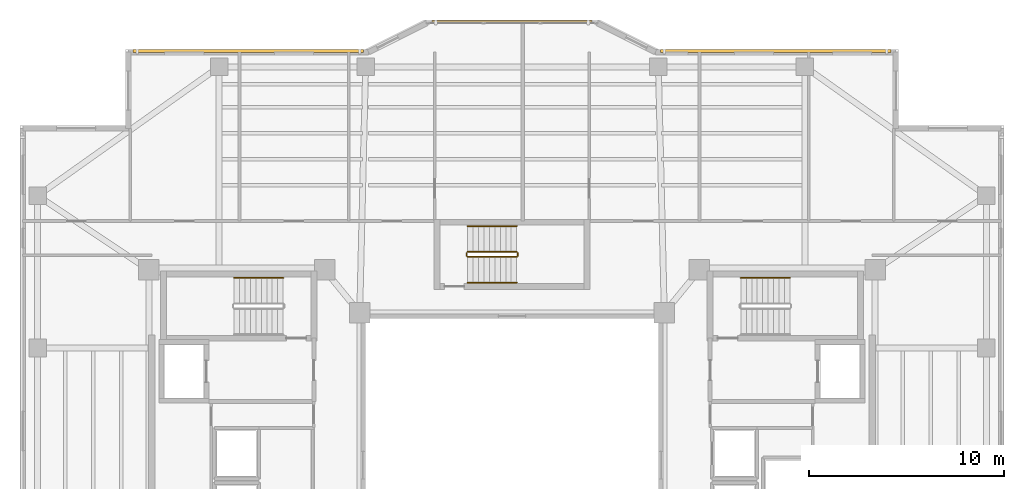
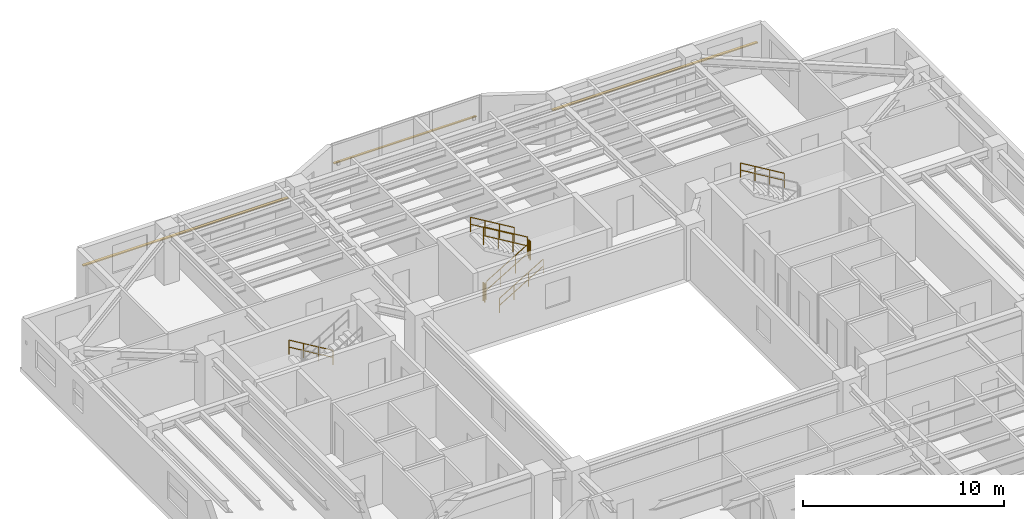
# One storey, part 15 of 15: 8 railings, 3 shading devices.
"""IFC4 building model written with IfcOpenShell, lengths in metres."""

from ifc_helpers import new_model, si_unit, direction, frame, origin, origin_2d, place, context, subcontext, project, spatial, rectangle, circle, extrude, material, material_profile, profile_set, type_object, element, save


model = new_model("IFC4")

# Units and contexts
model_context = context("Model", 3, precision=1e-05, world=origin(), true_north=direction((0.0, 1.0)))
body_context = subcontext(model_context, "Body", "Model", "MODEL_VIEW")
ifc_project = project(units=[si_unit("LENGTHUNIT", "METRE"), si_unit("AREAUNIT", "SQUARE_METRE"), si_unit("VOLUMEUNIT", "CUBIC_METRE"), si_unit("PLANEANGLEUNIT", "RADIAN"), si_unit("MASSUNIT", "GRAM", prefix="KILO")], contexts=[model_context])

# Site, building, storey
site_placement = place(None, origin())
site = spatial("IfcSite", under=ifc_project, at=site_placement, CompositionType="ELEMENT")
building_placement = place(site_placement, origin())
building = spatial("IfcBuilding", under=site, at=building_placement, Name="Tarnavaz Court Tower", CompositionType="ELEMENT")
storey_placement = place(building_placement, frame((0.0, 0.0, 169.449951171875)))
storey = spatial("IfcBuildingStorey", under=building, at=storey_placement, Name="L46", CompositionType="ELEMENT", Elevation=169.449951171875)

# Railings
ifc_material_1 = material(Name="Brushed Stainless Steel", Category="steel")
railing_type_1 = type_object("IfcRailingType", Name="RL-HANDRAIL-900", PredefinedType="HANDRAIL", material=ifc_material_1)
for number, where, name in (
    (1, (-11.719970703125, 9.590087890625, 0.16748046875), "L46 ST-W1 stair handrail 1"),
    (2, (14.239990234375, 9.590087890625, 1.842529296875), "L46 ST-E1 stair handrail 2"),
):
    element("IfcRailing", number, at=place(storey_placement, frame(where)), inside=storey, type_object=railing_type_1, Name=name, PredefinedType="HANDRAIL", context=body_context, shape_type="SweptSolid", body=[
        extrude(circle(Radius=0.02392578125, at=origin_2d()), frame((0.0, 0.0, 0.8759765625), z_axis=(-0.858159760407, 0.0, 0.513382728203), x_axis=(0.0, -1.0, 0.0)), (0.0, 0.0, 1.0), 2.9365234375),
        extrude(circle(Radius=0.02392578125, at=origin_2d()), frame((0.0, 0.0, 0.449951171875), z_axis=(-0.858159760407, 0.0, 0.513382728203), x_axis=(0.0, -1.0, 0.0)), (0.0, 0.0, 1.0), 2.9365234375),
        extrude(circle(Radius=0.02099609375, at=origin_2d()), origin(), (0.0, 0.0, 1.0), 0.851806640625),
        extrude(circle(Radius=0.02099609375, at=origin_2d()), frame((-0.840087890625, 0.0, 0.50244140625)), (0.0, 0.0, 1.0), 0.851806640625),
        extrude(circle(Radius=0.02099609375, at=origin_2d()), frame((-1.679931640625, 0.0, 1.005126953125)), (0.0, 0.0, 1.0), 0.851806640625),
        extrude(circle(Radius=0.02099609375, at=origin_2d()), frame((-2.52001953125, 0.0, 1.507568359375)), (0.0, 0.0, 1.0), 0.851806640625),
    ])
railing_1_placement = place(storey_placement, frame((-2.280029296875, 9.35009765625, 0.16748046875)))
element("IfcRailing", 3, at=railing_1_placement, inside=storey, type_object=railing_type_1, Name="L46 ST-N1 stair handrail 1", PredefinedType="HANDRAIL", context=body_context, shape_type="SweptSolid", body=[
    extrude(circle(Radius=0.02392578125, at=origin_2d()), frame((0.0, 0.0, 0.8759765625), z_axis=(0.858159760407, 0.0, 0.513382728203), x_axis=(0.0, 1.0, 0.0)), (0.0, 0.0, 1.0), 2.9365234375),
    extrude(circle(Radius=0.02392578125, at=origin_2d()), frame((0.0, 0.0, 0.449951171875), z_axis=(0.858159760407, 0.0, 0.513382728203), x_axis=(0.0, 1.0, 0.0)), (0.0, 0.0, 1.0), 2.9365234375),
    extrude(circle(Radius=0.02099609375, at=origin_2d()), origin(), (0.0, 0.0, 1.0), 0.851806640625),
    extrude(circle(Radius=0.02099609375, at=origin_2d()), frame((0.840087890625, 0.0, 0.50244140625)), (0.0, 0.0, 1.0), 0.851806640625),
    extrude(circle(Radius=0.02099609375, at=origin_2d()), frame((1.679931640625, 0.0, 1.005126953125)), (0.0, 0.0, 1.0), 0.851806640625),
    extrude(circle(Radius=0.02099609375, at=origin_2d()), frame((2.52001953125, 0.0, 1.507568359375)), (0.0, 0.0, 1.0), 0.851806640625),
])
railing_2_placement = place(storey_placement, frame((0.239990234375, 12.239990234375, 1.842529296875)))
element("IfcRailing", 4, at=railing_2_placement, inside=storey, type_object=railing_type_1, Name="L46 ST-N1 stair handrail 2", PredefinedType="HANDRAIL", context=body_context, shape_type="SweptSolid", body=[
    extrude(circle(Radius=0.02392578125, at=origin_2d()), frame((0.0, 0.0, 0.8759765625), z_axis=(-0.858159760407, 0.0, 0.513382728203), x_axis=(0.0, -1.0, 0.0)), (0.0, 0.0, 1.0), 2.9365234375),
    extrude(circle(Radius=0.02392578125, at=origin_2d()), frame((0.0, 0.0, 0.449951171875), z_axis=(-0.858159760407, 0.0, 0.513382728203), x_axis=(0.0, -1.0, 0.0)), (0.0, 0.0, 1.0), 2.9365234375),
    extrude(circle(Radius=0.02099609375, at=origin_2d()), origin(), (0.0, 0.0, 1.0), 0.851806640625),
    extrude(circle(Radius=0.02099609375, at=origin_2d()), frame((-0.840087890625, 0.0, 0.50244140625)), (0.0, 0.0, 1.0), 0.851806640625),
    extrude(circle(Radius=0.02099609375, at=origin_2d()), frame((-1.679931640625, 0.0, 1.005126953125)), (0.0, 0.0, 1.0), 0.851806640625),
    extrude(circle(Radius=0.02099609375, at=origin_2d()), frame((-2.52001953125, 0.0, 1.507568359375)), (0.0, 0.0, 1.0), 0.851806640625),
])
ifc_material_2 = material(Name="Galvanized Painted Tubular Steel", Category="steel")
railing_type_2 = type_object("IfcRailingType", Name="RL-STGUARD-1120", PredefinedType="GUARDRAIL", material=ifc_material_2)
railing_3_placement = place(storey_placement, frame((-2.280029296875, 10.669921875, 0.16748046875)))
element("IfcRailing", 5, at=railing_3_placement, inside=storey, type_object=railing_type_2, Name="L46 ST-N1 stair guard 1", PredefinedType="GUARDRAIL", context=body_context, shape_type="SweptSolid", body=[
    extrude(circle(Radius=0.02392578125, at=origin_2d()), frame((0.0, 0.0, 1.09619140625), z_axis=(0.858159760407, 0.0, 0.513382728203), x_axis=(0.0, 1.0, 0.0)), (0.0, 0.0, 1.0), 2.9365234375),
    extrude(circle(Radius=0.02392578125, at=origin_2d()), frame((0.0, 0.0, 0.56005859375), z_axis=(0.858159760407, 0.0, 0.513382728203), x_axis=(0.0, 1.0, 0.0)), (0.0, 0.0, 1.0), 2.9365234375),
    extrude(circle(Radius=0.02099609375, at=origin_2d()), origin(), (0.0, 0.0, 1.0), 1.072021484375),
    extrude(circle(Radius=0.02099609375, at=origin_2d()), frame((0.840087890625, 0.0, 0.50244140625)), (0.0, 0.0, 1.0), 1.072021484375),
    extrude(circle(Radius=0.02099609375, at=origin_2d()), frame((1.679931640625, 0.0, 1.005126953125)), (0.0, 0.0, 1.0), 1.072021484375),
    extrude(circle(Radius=0.02099609375, at=origin_2d()), frame((2.52001953125, 0.0, 1.507568359375)), (0.0, 0.0, 1.0), 1.072021484375),
])
railing_4_placement = place(storey_placement, frame((0.2900390625, 10.719970703125, 1.675048828125)))
element("IfcRailing", 6, at=railing_4_placement, inside=storey, type_object=railing_type_2, Name="L46 ST-N1 stair guard 2", PredefinedType="GUARDRAIL", context=body_context, shape_type="SweptSolid", body=[
    extrude(circle(Radius=0.02392578125, at=origin_2d()), frame((0.0, 0.0, 1.09619140625), z_axis=(0.0, 1.0, 0.0), x_axis=(-1.0, 0.0, 0.0)), (0.0, 0.0, 1.0), 0.150146484375),
    extrude(circle(Radius=0.02392578125, at=origin_2d()), frame((0.0, 0.0, 0.56005859375), z_axis=(0.0, 1.0, 0.0), x_axis=(-1.0, 0.0, 0.0)), (0.0, 0.0, 1.0), 0.150146484375),
    extrude(circle(Radius=0.02099609375, at=origin_2d()), origin(), (0.0, 0.0, 1.0), 1.072021484375),
    extrude(circle(Radius=0.02099609375, at=origin_2d()), frame((0.0, 0.150146484375, 0.0)), (0.0, 0.0, 1.0), 1.072021484375),
])
railing_5_placement = place(storey_placement, frame((0.239990234375, 10.919921875, 1.842529296875)))
element("IfcRailing", 7, at=railing_5_placement, inside=storey, type_object=railing_type_2, Name="L46 ST-N1 stair guard 3", PredefinedType="GUARDRAIL", context=body_context, shape_type="SweptSolid", body=[
    extrude(circle(Radius=0.02392578125, at=origin_2d()), frame((0.0, 0.0, 1.09619140625), z_axis=(-0.858159760407, 0.0, 0.513382728203), x_axis=(0.0, -1.0, 0.0)), (0.0, 0.0, 1.0), 2.9365234375),
    extrude(circle(Radius=0.02392578125, at=origin_2d()), frame((0.0, 0.0, 0.56005859375), z_axis=(-0.858159760407, 0.0, 0.513382728203), x_axis=(0.0, -1.0, 0.0)), (0.0, 0.0, 1.0), 2.9365234375),
    extrude(circle(Radius=0.02099609375, at=origin_2d()), origin(), (0.0, 0.0, 1.0), 1.072021484375),
    extrude(circle(Radius=0.02099609375, at=origin_2d()), frame((-0.840087890625, 0.0, 0.50244140625)), (0.0, 0.0, 1.0), 1.072021484375),
    extrude(circle(Radius=0.02099609375, at=origin_2d()), frame((-1.679931640625, 0.0, 1.005126953125)), (0.0, 0.0, 1.0), 1.072021484375),
    extrude(circle(Radius=0.02099609375, at=origin_2d()), frame((-2.52001953125, 0.0, 1.507568359375)), (0.0, 0.0, 1.0), 1.072021484375),
])
railing_6_placement = place(storey_placement, frame((-2.330078125, 10.719970703125, 0.0)))
element("IfcRailing", 8, at=railing_6_placement, inside=storey, type_object=railing_type_2, Name="L46 ST-N1 stair guard 4", PredefinedType="GUARDRAIL", context=body_context, shape_type="SweptSolid", body=[
    extrude(circle(Radius=0.02392578125, at=origin_2d()), frame((0.0, 0.0, 1.09619140625), z_axis=(0.0, 1.0, 0.0), x_axis=(-1.0, 0.0, 0.0)), (0.0, 0.0, 1.0), 0.150146484375),
    extrude(circle(Radius=0.02392578125, at=origin_2d()), frame((0.0, 0.0, 0.56005859375), z_axis=(0.0, 1.0, 0.0), x_axis=(-1.0, 0.0, 0.0)), (0.0, 0.0, 1.0), 0.150146484375),
    extrude(circle(Radius=0.02099609375, at=origin_2d()), origin(), (0.0, 0.0, 1.0), 1.072021484375),
    extrude(circle(Radius=0.02099609375, at=origin_2d()), frame((0.0, 0.150146484375, 0.0)), (0.0, 0.0, 1.0), 1.072021484375),
])

# Shading devices
ifc_material_3 = material(Name="Kiln-Fired Khorasan Terracotta Ceramic", Category="masonry")
ifc_material_profile_1 = material_profile(ifc_material_3, rectangle(XDim=0.1201171875, YDim=0.06005859375, at=origin_2d()), Name="TC BAGUETTE 120X60")
ifc_profile_set_1 = profile_set([ifc_material_profile_1], Name="Kiln-Fired Khorasan Terracotta Ceramic")
shading_device_type_1 = type_object("IfcShadingDeviceType", Name="SD-BAG-120", PredefinedType="USERDEFINED", material=ifc_profile_set_1)
shading_device_placement = place(storey_placement, frame((-4.10009765625, 22.7099609375, 1.800048828125), z_axis=(1.0, 0.0, 0.0), x_axis=(0.0, 1.0, 0.0)))
element("IfcShadingDevice", 9, at=shading_device_placement, inside=storey, type_object=shading_device_type_1, Name="L46 Terracotta Baguette Screen PBG7", ObjectType="BAGUETTE", PredefinedType="USERDEFINED", context=body_context, shape_type="SweptSolid", body=[
    extrude(rectangle(XDim=0.1201171875, YDim=0.06005859375, at=origin_2d()), origin(), (0.0, 0.0, 1.0), 8.2001953125),
])
ifc_material_profile_2 = material_profile(ifc_material_3, rectangle(XDim=0.14990234375, YDim=0.06494140625, at=origin_2d()), Name="TC BAGUETTE 150X65")
ifc_profile_set_2 = profile_set([ifc_material_profile_2], Name="Kiln-Fired Khorasan Terracotta Ceramic")
shading_device_type_2 = type_object("IfcShadingDeviceType", Name="SD-BAG-150", PredefinedType="USERDEFINED", material=ifc_profile_set_2)
for number, where, z_axis, x_axis, name in (
    (10, (-19.39990234375, 21.2099609375, 1.85009765625), (1.0, 0.0, 0.0), (0.0, 1.0, 0.0), "L46 Terracotta Baguette Screen FBG05"),
    (11, (7.60009765625, 21.2099609375, 1.85009765625), (1.0, 0.0, 0.0), (0.0, 1.0, 0.0), "L46 Terracotta Baguette Screen FBG09"),
):
    element("IfcShadingDevice", number, at=place(storey_placement, frame(where, z_axis=z_axis, x_axis=x_axis)), inside=storey, type_object=shading_device_type_2, Name=name, ObjectType="BAGUETTE", PredefinedType="USERDEFINED", context=body_context, shape_type="SweptSolid", body=[
        extrude(rectangle(XDim=0.14990234375, YDim=0.06494140625, at=origin_2d()), origin(), (0.0, 0.0, 1.0), 11.7998046875),
    ])

save(model, "model.ifc")
